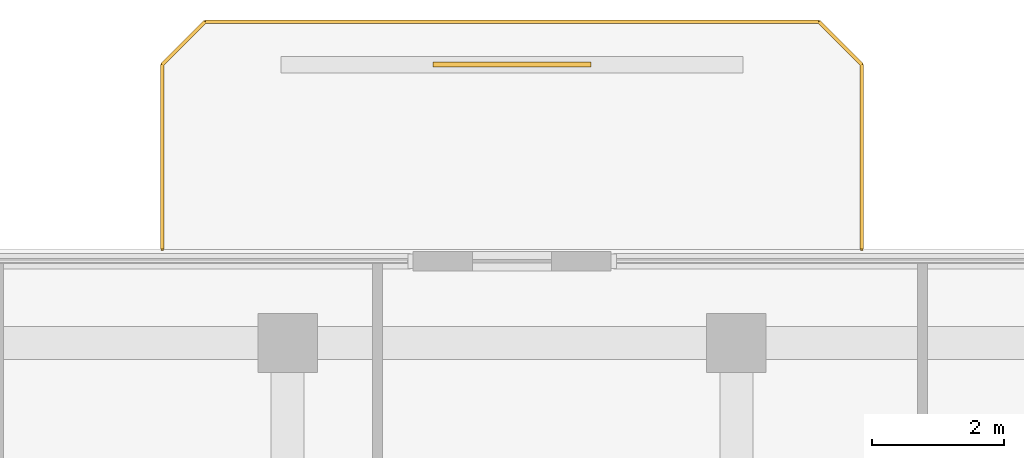
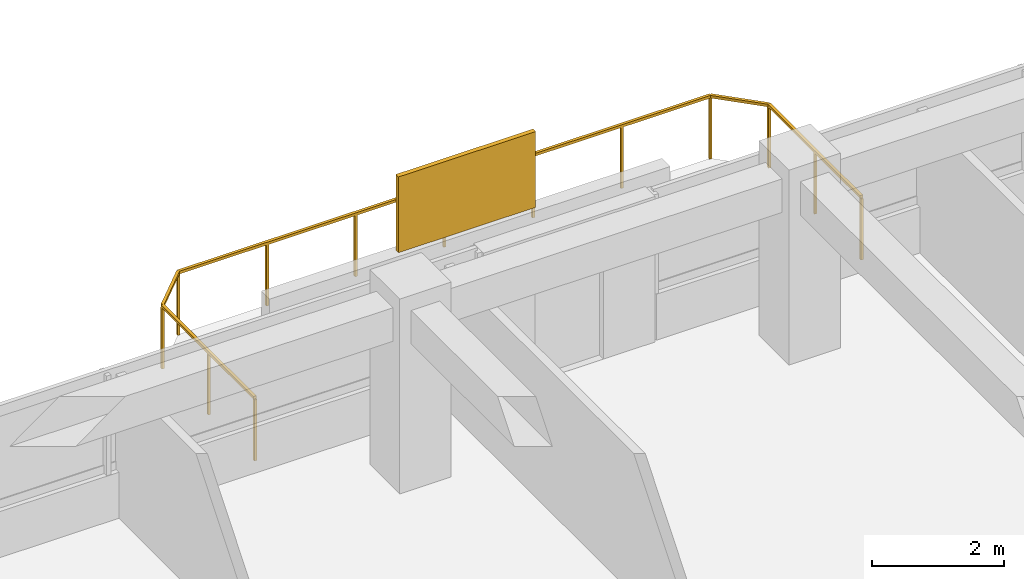
# One storey, part 14 of 14: 1 railing, 1 shading device.
"""IFC4 building model written with IfcOpenShell, lengths in metres."""

import ifcopenshell
import ifcopenshell.guid

model = None  # the IFC model being written
_history = None  # IfcOwnerHistory: only IFC2X3 demands one
_inside = {}  # id of a spatial element -> (the spatial element, [elements in it])
_under = {}  # id of a project, library or spatial element -> (it, [spatial elements below it])
_declared = {}  # id of a project -> (the project, [libraries it declares])
_typed = {}  # id of a type object -> (the type object, [elements of that type])
_made_of = {}  # id of a material, layer set ... -> (it, [elements and type objects made of it])


def new_model(schema):
    """Start an empty IFC model of exactly this schema.

    Asked for "IFC4X3", IfcOpenShell would pick the latest addendum, in which some entities
    have other attributes; the version numbers below select the first issue.
    IFC2X3 requires an IfcOwnerHistory on every rooted entity: one is made here for all.
    """
    global model, _history
    if schema == "IFC4X3":
        model = ifcopenshell.file(schema_version=(4, 3, 0, 0))
    else:
        model = ifcopenshell.file(schema=schema)
    _inside.clear()
    _under.clear()
    _declared.clear()
    _typed.clear()
    _made_of.clear()
    _history = None
    if model.schema == "IFC2X3":
        org = make("IfcOrganization", Name="unknown")
        user = make(
            "IfcPersonAndOrganization",
            ThePerson=make("IfcPerson", FamilyName="unknown"),
            TheOrganization=org,
        )
        app = make(
            "IfcApplication",
            ApplicationDeveloper=org,
            Version="unknown",
            ApplicationFullName="unknown",
            ApplicationIdentifier="unknown",
        )
        _history = make(
            "IfcOwnerHistory",
            OwningUser=user,
            OwningApplication=app,
            ChangeAction="ADDED",
            CreationDate=0,
        )
    return model


def make(cls, **values):
    """One entity of the class cls with the attributes given. An attribute that is None is left unset."""
    return model.create_entity(
        cls, **{name: value for name, value in values.items() if value is not None}
    )


def rooted(cls, **values):
    """An entity with a GlobalId (a new one), such as an element, a storey or a relation."""
    return make(cls, GlobalId=ifcopenshell.guid.new(), OwnerHistory=_history, **values)


def si_unit(unit_type, name, prefix=None):
    """IfcSIUnit, for example si_unit("LENGTHUNIT", "METRE", prefix="MILLI")."""
    return make("IfcSIUnit", UnitType=unit_type, Prefix=prefix, Name=name)


def derived_unit(unit_type, elements):
    """IfcDerivedUnit: a product of units, each with its exponent."""
    return make(
        "IfcDerivedUnit",
        Elements=[
            make("IfcDerivedUnitElement", Unit=unit, Exponent=power)
            for unit, power in elements
        ],
        UnitType=unit_type,
    )


def assignment(units):
    """IfcUnitAssignment: the units of a project."""
    return None if units is None else make("IfcUnitAssignment", Units=units)


def point(xyz):
    """IfcCartesianPoint."""
    return None if xyz is None else make("IfcCartesianPoint", Coordinates=xyz)


def direction(xyz):
    """IfcDirection."""
    return None if xyz is None else make("IfcDirection", DirectionRatios=xyz)


def frame(location, z_axis=None, x_axis=None):
    """IfcAxis2Placement3D, a coordinate frame: its origin and axes. An axis left out is left unset."""
    return make(
        "IfcAxis2Placement3D",
        Location=point(location),
        Axis=direction(z_axis),
        RefDirection=direction(x_axis),
    )


def frame_2d(location, x_axis=None):
    """IfcAxis2Placement2D, a coordinate frame in the plane: its origin and x axis."""
    return make(
        "IfcAxis2Placement2D", Location=point(location), RefDirection=direction(x_axis)
    )


def origin():
    """The frame at (0, 0, 0) with its axes left unset."""
    return frame((0.0, 0.0, 0.0))


def origin_2d():
    """The frame at (0, 0) in the plane with its x axis left unset."""
    return frame_2d((0.0, 0.0))


def place(relative_to, where):
    """IfcLocalPlacement: puts the frame where relative to a parent placement (None: the world)."""
    return make(
        "IfcLocalPlacement", PlacementRelTo=relative_to, RelativePlacement=where
    )


def context(
    kind, dimensions, precision=None, world=None, true_north=None, identifier=None
):
    """IfcGeometricRepresentationContext, for example the 3D "Model" context."""
    return make(
        "IfcGeometricRepresentationContext",
        ContextIdentifier=identifier,
        ContextType=kind,
        CoordinateSpaceDimension=dimensions,
        Precision=precision,
        WorldCoordinateSystem=world,
        TrueNorth=true_north,
    )


def subcontext(parent, identifier, kind, view, scale=None):
    """IfcGeometricRepresentationSubContext, for example "Body" below "Model"."""
    return make(
        "IfcGeometricRepresentationSubContext",
        ContextIdentifier=identifier,
        ContextType=kind,
        ParentContext=parent,
        TargetScale=scale,
        TargetView=view,
    )


def project(units=None, contexts=None):
    """IfcProject with its units and contexts."""
    return rooted(
        "IfcProject",
        Name="project",
        RepresentationContexts=contexts,
        UnitsInContext=assignment(units),
    )


def spatial(cls, under=None, at=None, **own):
    """A site, building, storey or space (cls), placed at a placement, below another one or the project."""
    s = rooted(cls, ObjectPlacement=at, **own)
    if under is not None:
        _under.setdefault(under.id(), (under, []))[1].append(s)
    return s


def profile(cls, at=None, kind="AREA", **sizes):
    """A parametric profile (cls). Its sizes go by their IFC names, for example OverallWidth=200.0."""
    return make(cls, ProfileType=kind, Position=at, **sizes)


def rectangle(**sizes):
    """IfcRectangleProfileDef."""
    return profile("IfcRectangleProfileDef", **sizes)


def extrude(swept, where, along, depth):
    """IfcExtrudedAreaSolid: the profile swept, set in the frame where, extruded along a direction by depth."""
    return make(
        "IfcExtrudedAreaSolid",
        SweptArea=swept,
        Position=where,
        ExtrudedDirection=direction(along),
        Depth=depth,
    )


def shape(context_of_items, identifier, shape_type, items):
    """IfcShapeRepresentation: the items that make up one representation, for example the "Body"."""
    return make(
        "IfcShapeRepresentation",
        ContextOfItems=context_of_items,
        RepresentationIdentifier=identifier,
        RepresentationType=shape_type,
        Items=items,
    )


def material(Name=None, Category=None):
    """IfcMaterial."""
    return make("IfcMaterial", Name=Name, Category=Category)


def layer(
    of_material, thickness, ventilated=None, Name=None, Category=None, Priority=None
):
    """IfcMaterialLayer: one layer of a wall or slab, of a material (None: an air gap)."""
    return make(
        "IfcMaterialLayer",
        Material=of_material,
        LayerThickness=thickness,
        IsVentilated=ventilated,
        Name=Name,
        Category=Category,
        Priority=Priority,
    )


def layer_set(layers, Name=None):
    """IfcMaterialLayerSet."""
    return make("IfcMaterialLayerSet", MaterialLayers=layers, LayerSetName=Name)


def made_of(thing, what):
    """Note that an element or type object is made of a material, layer set ...; save() writes the relation."""
    if what is not None:
        _made_of.setdefault(what.id(), (what, []))[1].append(thing)
    return thing


def type_object(cls, material=None, **own):
    """A type object (cls), such as IfcWallType, which elements share."""
    return made_of(rooted(cls, **own), material)


def element(
    cls,
    number,
    at=None,
    inside=None,
    cuts=None,
    type_object=None,
    material=None,
    context=None,
    identifier="Body",
    shape_type=None,
    held_by="IfcProductDefinitionShape",
    body=None,
    shapes=None,
    **own,
):
    """One element of the class cls, such as IfcWall. Its Tag is "e" and its number.

    at: its placement. inside: the storey or other place that contains it. cuts: it is an
    opening in that element (IfcRelVoidsElement). A single representation is given by context,
    identifier, shape_type and body (its items); several are given by shapes. held_by: the class
    of the entity that holds the representations. save() writes the other relations.
    """
    e = rooted(cls, Tag="e%d" % number, ObjectPlacement=at, **own)
    if body is not None:
        shapes = [shape(context, identifier, shape_type, body)]
    if shapes is not None:
        e.Representation = make(held_by, Representations=shapes)
    if inside is not None:
        _inside.setdefault(inside.id(), (inside, []))[1].append(e)
    if cuts is not None:
        rooted(
            "IfcRelVoidsElement", RelatingBuildingElement=cuts, RelatedOpeningElement=e
        )
    if type_object is not None:
        _typed.setdefault(type_object.id(), (type_object, []))[1].append(e)
    return made_of(e, material)


def aggregate(whole, parts):
    """IfcRelAggregates: a whole, such as a stair, and the parts it consists of."""
    return rooted("IfcRelAggregates", RelatingObject=whole, RelatedObjects=parts)


def save(model, path):
    """Write the relations noted so far, then the file.

    IfcRelAggregates (storeys below a building ...), IfcRelContainedInSpatialStructure (elements
    in a storey), IfcRelDefinesByType, IfcRelAssociatesMaterial and IfcRelDeclares: one each for
    every whole, place, type object, material and project.
    """
    for whole, parts in _under.values():
        aggregate(whole, parts)
    for where, things in _inside.values():
        rooted(
            "IfcRelContainedInSpatialStructure",
            RelatedElements=things,
            RelatingStructure=where,
        )
    for kind, things in _typed.values():
        rooted("IfcRelDefinesByType", RelatedObjects=things, RelatingType=kind)
    for what, things in _made_of.values():
        rooted("IfcRelAssociatesMaterial", RelatedObjects=things, RelatingMaterial=what)
    for by, libraries in _declared.values():
        rooted("IfcRelDeclares", RelatingContext=by, RelatedDefinitions=libraries)
    model.write(path)


model = new_model("IFC4")

# Units and contexts
model_context = context("Model", 3, precision=1e-05, world=origin(), true_north=direction((0.0, 1.0)))
body_context = subcontext(model_context, "Body", "Model", "MODEL_VIEW")
ifc_project = project(units=[si_unit("LENGTHUNIT", "METRE"), si_unit("AREAUNIT", "SQUARE_METRE"), si_unit("VOLUMEUNIT", "CUBIC_METRE"), si_unit("PLANEANGLEUNIT", "RADIAN"), si_unit("MASSUNIT", "GRAM", prefix="KILO"), derived_unit("THERMALTRANSMITTANCEUNIT", [(si_unit("POWERUNIT", "WATT"), 1), (si_unit("LENGTHUNIT", "METRE"), -2), (si_unit("THERMODYNAMICTEMPERATUREUNIT", "KELVIN"), -1)])], contexts=[model_context])

# Site, building, storey
site_placement = place(None, origin())
site = spatial("IfcSite", under=ifc_project, at=site_placement, CompositionType="ELEMENT")
building_placement = place(site_placement, origin())
building = spatial("IfcBuilding", under=site, at=building_placement, Name="Koralith Skygarden Medical Center", CompositionType="ELEMENT")
storey_placement = place(building_placement, frame((0.0, 0.0, 225.179931640625)))
storey = spatial("IfcBuildingStorey", under=building, at=storey_placement, Name="L58", CompositionType="ELEMENT", Elevation=225.179931640625)

# Railing
ifc_material_1 = material(Name="Steel ASTM A500 Grade C", Category="steel")
railing_type = type_object("IfcRailingType", Name="Outdoor Terrace & Balcony Safety Guardrail 1180", PredefinedType="GUARDRAIL", material=ifc_material_1)
railing_placement = place(storey_placement, frame((42.300048828125, 48.699951171875, 0.0)))
element("IfcRailing", 1, at=railing_placement, inside=storey, type_object=railing_type, Name="L58 N Balcony Perimeter Guardrail", PredefinedType="GUARDRAIL", context=body_context, shape_type="SweptSolid", body=[
    extrude(rectangle(XDim=0.050048828125, YDim=0.050048828125, at=origin_2d()), frame((0.0, 0.001953125, 1.15478515625), z_axis=(0.0, 1.0, 0.0), x_axis=(-1.0, 0.0, 0.0)), (0.0, 0.0, 1.0), 2.796142578125),
    extrude(rectangle(XDim=0.050048828125, YDim=0.050048828125, at=origin_2d()), frame((-0.00146484375, 2.801513671875, 1.15478515625), z_axis=(-0.707239558722, 0.706973978714, 0.0), x_axis=(-0.706973978714, -0.707239558722, 0.0)), (0.0, 0.0, 1.0), 0.915283203125),
    extrude(rectangle(XDim=0.050048828125, YDim=0.050048828125, at=origin_2d()), frame((-0.652099609375, 3.449951171875, 1.15478515625), z_axis=(-1.0, 0.0, 0.0), x_axis=(0.0, -1.0, 0.0)), (0.0, 0.0, 1.0), 9.2958984375),
    extrude(rectangle(XDim=0.050048828125, YDim=0.050048828125, at=origin_2d()), frame((-9.951416015625, 3.448486328125, 1.15478515625), z_axis=(-0.707239558722, -0.706973978714, 0.0), x_axis=(0.706973978714, -0.707239558722, 0.0)), (0.0, 0.0, 1.0), 0.915283203125),
    extrude(rectangle(XDim=0.050048828125, YDim=0.050048828125, at=origin_2d()), frame((-10.60009765625, 2.798095703125, 1.15478515625), z_axis=(0.0, -1.0, 0.0), x_axis=(1.0, 0.0, 0.0)), (0.0, 0.0, 1.0), 2.796142578125),
    extrude(rectangle(XDim=0.0419921875, YDim=0.0419921875, at=origin_2d()), origin(), (0.0, 0.0, 1.0), 1.1279296875),
    extrude(rectangle(XDim=0.0419921875, YDim=0.0419921875, at=origin_2d()), frame((0.0, 1.39990234375, 0.0)), (0.0, 0.0, 1.0), 1.1279296875),
    extrude(rectangle(XDim=0.0419921875, YDim=0.0419921875, at=origin_2d()), frame((0.0, 2.800048828125, 0.0)), (0.0, 0.0, 1.0), 1.1279296875),
    extrude(rectangle(XDim=0.0419921875, YDim=0.0419921875, at=origin_2d()), frame((-0.650146484375, 3.449951171875, 0.0)), (0.0, 0.0, 1.0), 1.1279296875),
    extrude(rectangle(XDim=0.0419921875, YDim=0.0419921875, at=origin_2d()), frame((-2.2001953125, 3.449951171875, 0.0)), (0.0, 0.0, 1.0), 1.1279296875),
    extrude(rectangle(XDim=0.0419921875, YDim=0.0419921875, at=origin_2d()), frame((-3.75, 3.449951171875, 0.0)), (0.0, 0.0, 1.0), 1.1279296875),
    extrude(rectangle(XDim=0.0419921875, YDim=0.0419921875, at=origin_2d()), frame((-5.300048828125, 3.449951171875, 0.0)), (0.0, 0.0, 1.0), 1.1279296875),
    extrude(rectangle(XDim=0.0419921875, YDim=0.0419921875, at=origin_2d()), frame((-6.85009765625, 3.449951171875, 0.0)), (0.0, 0.0, 1.0), 1.1279296875),
    extrude(rectangle(XDim=0.0419921875, YDim=0.0419921875, at=origin_2d()), frame((-8.39990234375, 3.449951171875, 0.0)), (0.0, 0.0, 1.0), 1.1279296875),
    extrude(rectangle(XDim=0.0419921875, YDim=0.0419921875, at=origin_2d()), frame((-9.949951171875, 3.449951171875, 0.0)), (0.0, 0.0, 1.0), 1.1279296875),
    extrude(rectangle(XDim=0.0419921875, YDim=0.0419921875, at=origin_2d()), frame((-10.60009765625, 2.800048828125, 0.0)), (0.0, 0.0, 1.0), 1.1279296875),
    extrude(rectangle(XDim=0.0419921875, YDim=0.0419921875, at=origin_2d()), frame((-10.60009765625, 1.39990234375, 0.0)), (0.0, 0.0, 1.0), 1.1279296875),
    extrude(rectangle(XDim=0.0419921875, YDim=0.0419921875, at=origin_2d()), frame((-10.60009765625, 0.0, 0.0)), (0.0, 0.0, 1.0), 1.1279296875),
])

# Shading device
ifc_material_2 = material(Name="Aluminium 6063-T6", Category="aluminium")
ifc_layer = layer(ifc_material_2, 0.080078125)
ifc_layer_set = layer_set([ifc_layer], Name="Aluminium 6063-T6")
shading_device_type = type_object("IfcShadingDeviceType", Name="Perforated Biophilic Balcony Trellis Screen", PredefinedType="USERDEFINED", material=ifc_layer_set)
shading_device_placement = place(storey_placement, frame((37.0, 51.5, 0.72021484375), z_axis=(0.0, 0.0, 1.0), x_axis=(1.0, 0.0, 0.0)))
element("IfcShadingDevice", 2, at=shading_device_placement, inside=storey, type_object=shading_device_type, Name="L58 N Biophilic Balcony Trellis Screen", ObjectType="HURRICANE SCREEN", PredefinedType="USERDEFINED", context=body_context, shape_type="SweptSolid", body=[
    extrude(rectangle(XDim=2.39990234375, YDim=0.080078125, at=origin_2d()), origin(), (0.0, 0.0, 1.0), 1.39990234375),
])

save(model, "model.ifc")
